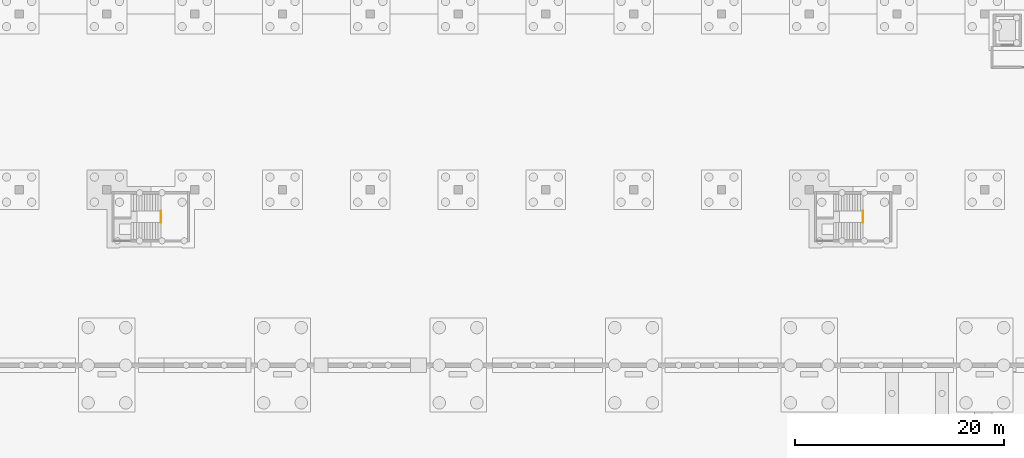
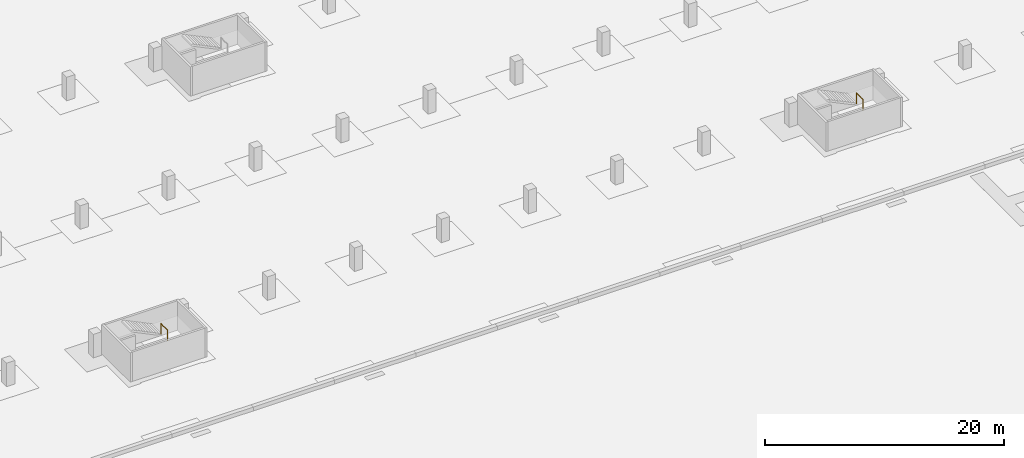
# One storey, part 60 of 67: 2 railings.
"""IFC4 building model written with IfcOpenShell, lengths in metres."""

import ifcopenshell
import ifcopenshell.guid

model = None  # the IFC model being written
_history = None  # IfcOwnerHistory: only IFC2X3 demands one
_inside = {}  # id of a spatial element -> (the spatial element, [elements in it])
_under = {}  # id of a project, library or spatial element -> (it, [spatial elements below it])
_declared = {}  # id of a project -> (the project, [libraries it declares])
_typed = {}  # id of a type object -> (the type object, [elements of that type])
_made_of = {}  # id of a material, layer set ... -> (it, [elements and type objects made of it])


def new_model(schema):
    """Start an empty IFC model of exactly this schema.

    Asked for "IFC4X3", IfcOpenShell would pick the latest addendum, in which some entities
    have other attributes; the version numbers below select the first issue.
    IFC2X3 requires an IfcOwnerHistory on every rooted entity: one is made here for all.
    """
    global model, _history
    if schema == "IFC4X3":
        model = ifcopenshell.file(schema_version=(4, 3, 0, 0))
    else:
        model = ifcopenshell.file(schema=schema)
    _inside.clear()
    _under.clear()
    _declared.clear()
    _typed.clear()
    _made_of.clear()
    _history = None
    if model.schema == "IFC2X3":
        org = make("IfcOrganization", Name="unknown")
        user = make(
            "IfcPersonAndOrganization",
            ThePerson=make("IfcPerson", FamilyName="unknown"),
            TheOrganization=org,
        )
        app = make(
            "IfcApplication",
            ApplicationDeveloper=org,
            Version="unknown",
            ApplicationFullName="unknown",
            ApplicationIdentifier="unknown",
        )
        _history = make(
            "IfcOwnerHistory",
            OwningUser=user,
            OwningApplication=app,
            ChangeAction="ADDED",
            CreationDate=0,
        )
    return model


def make(cls, **values):
    """One entity of the class cls with the attributes given. An attribute that is None is left unset."""
    return model.create_entity(
        cls, **{name: value for name, value in values.items() if value is not None}
    )


def rooted(cls, **values):
    """An entity with a GlobalId (a new one), such as an element, a storey or a relation."""
    return make(cls, GlobalId=ifcopenshell.guid.new(), OwnerHistory=_history, **values)


def si_unit(unit_type, name, prefix=None):
    """IfcSIUnit, for example si_unit("LENGTHUNIT", "METRE", prefix="MILLI")."""
    return make("IfcSIUnit", UnitType=unit_type, Prefix=prefix, Name=name)


def assignment(units):
    """IfcUnitAssignment: the units of a project."""
    return None if units is None else make("IfcUnitAssignment", Units=units)


def point(xyz):
    """IfcCartesianPoint."""
    return None if xyz is None else make("IfcCartesianPoint", Coordinates=xyz)


def direction(xyz):
    """IfcDirection."""
    return None if xyz is None else make("IfcDirection", DirectionRatios=xyz)


def frame(location, z_axis=None, x_axis=None):
    """IfcAxis2Placement3D, a coordinate frame: its origin and axes. An axis left out is left unset."""
    return make(
        "IfcAxis2Placement3D",
        Location=point(location),
        Axis=direction(z_axis),
        RefDirection=direction(x_axis),
    )


def frame_2d(location, x_axis=None):
    """IfcAxis2Placement2D, a coordinate frame in the plane: its origin and x axis."""
    return make(
        "IfcAxis2Placement2D", Location=point(location), RefDirection=direction(x_axis)
    )


def origin():
    """The frame at (0, 0, 0) with its axes left unset."""
    return frame((0.0, 0.0, 0.0))


def origin_2d():
    """The frame at (0, 0) in the plane with its x axis left unset."""
    return frame_2d((0.0, 0.0))


def place(relative_to, where):
    """IfcLocalPlacement: puts the frame where relative to a parent placement (None: the world)."""
    return make(
        "IfcLocalPlacement", PlacementRelTo=relative_to, RelativePlacement=where
    )


def context(
    kind, dimensions, precision=None, world=None, true_north=None, identifier=None
):
    """IfcGeometricRepresentationContext, for example the 3D "Model" context."""
    return make(
        "IfcGeometricRepresentationContext",
        ContextIdentifier=identifier,
        ContextType=kind,
        CoordinateSpaceDimension=dimensions,
        Precision=precision,
        WorldCoordinateSystem=world,
        TrueNorth=true_north,
    )


def subcontext(parent, identifier, kind, view, scale=None):
    """IfcGeometricRepresentationSubContext, for example "Body" below "Model"."""
    return make(
        "IfcGeometricRepresentationSubContext",
        ContextIdentifier=identifier,
        ContextType=kind,
        ParentContext=parent,
        TargetScale=scale,
        TargetView=view,
    )


def project(units=None, contexts=None):
    """IfcProject with its units and contexts."""
    return rooted(
        "IfcProject",
        Name="project",
        RepresentationContexts=contexts,
        UnitsInContext=assignment(units),
    )


def spatial(cls, under=None, at=None, **own):
    """A site, building, storey or space (cls), placed at a placement, below another one or the project."""
    s = rooted(cls, ObjectPlacement=at, **own)
    if under is not None:
        _under.setdefault(under.id(), (under, []))[1].append(s)
    return s


def profile(cls, at=None, kind="AREA", **sizes):
    """A parametric profile (cls). Its sizes go by their IFC names, for example OverallWidth=200.0."""
    return make(cls, ProfileType=kind, Position=at, **sizes)


def circle(**sizes):
    """IfcCircleProfileDef."""
    return profile("IfcCircleProfileDef", **sizes)


def extrude(swept, where, along, depth):
    """IfcExtrudedAreaSolid: the profile swept, set in the frame where, extruded along a direction by depth."""
    return make(
        "IfcExtrudedAreaSolid",
        SweptArea=swept,
        Position=where,
        ExtrudedDirection=direction(along),
        Depth=depth,
    )


def shape(context_of_items, identifier, shape_type, items):
    """IfcShapeRepresentation: the items that make up one representation, for example the "Body"."""
    return make(
        "IfcShapeRepresentation",
        ContextOfItems=context_of_items,
        RepresentationIdentifier=identifier,
        RepresentationType=shape_type,
        Items=items,
    )


def material(Name=None, Category=None):
    """IfcMaterial."""
    return make("IfcMaterial", Name=Name, Category=Category)


def made_of(thing, what):
    """Note that an element or type object is made of a material, layer set ...; save() writes the relation."""
    if what is not None:
        _made_of.setdefault(what.id(), (what, []))[1].append(thing)
    return thing


def type_object(cls, material=None, **own):
    """A type object (cls), such as IfcWallType, which elements share."""
    return made_of(rooted(cls, **own), material)


def element(
    cls,
    number,
    at=None,
    inside=None,
    cuts=None,
    type_object=None,
    material=None,
    context=None,
    identifier="Body",
    shape_type=None,
    held_by="IfcProductDefinitionShape",
    body=None,
    shapes=None,
    **own,
):
    """One element of the class cls, such as IfcWall. Its Tag is "e" and its number.

    at: its placement. inside: the storey or other place that contains it. cuts: it is an
    opening in that element (IfcRelVoidsElement). A single representation is given by context,
    identifier, shape_type and body (its items); several are given by shapes. held_by: the class
    of the entity that holds the representations. save() writes the other relations.
    """
    e = rooted(cls, Tag="e%d" % number, ObjectPlacement=at, **own)
    if body is not None:
        shapes = [shape(context, identifier, shape_type, body)]
    if shapes is not None:
        e.Representation = make(held_by, Representations=shapes)
    if inside is not None:
        _inside.setdefault(inside.id(), (inside, []))[1].append(e)
    if cuts is not None:
        rooted(
            "IfcRelVoidsElement", RelatingBuildingElement=cuts, RelatedOpeningElement=e
        )
    if type_object is not None:
        _typed.setdefault(type_object.id(), (type_object, []))[1].append(e)
    return made_of(e, material)


def aggregate(whole, parts):
    """IfcRelAggregates: a whole, such as a stair, and the parts it consists of."""
    return rooted("IfcRelAggregates", RelatingObject=whole, RelatedObjects=parts)


def save(model, path):
    """Write the relations noted so far, then the file.

    IfcRelAggregates (storeys below a building ...), IfcRelContainedInSpatialStructure (elements
    in a storey), IfcRelDefinesByType, IfcRelAssociatesMaterial and IfcRelDeclares: one each for
    every whole, place, type object, material and project.
    """
    for whole, parts in _under.values():
        aggregate(whole, parts)
    for where, things in _inside.values():
        rooted(
            "IfcRelContainedInSpatialStructure",
            RelatedElements=things,
            RelatingStructure=where,
        )
    for kind, things in _typed.values():
        rooted("IfcRelDefinesByType", RelatedObjects=things, RelatingType=kind)
    for what, things in _made_of.values():
        rooted("IfcRelAssociatesMaterial", RelatedObjects=things, RelatingMaterial=what)
    for by, libraries in _declared.values():
        rooted("IfcRelDeclares", RelatingContext=by, RelatedDefinitions=libraries)
    model.write(path)


model = new_model("IFC4")

# Units and contexts
model_context = context("Model", 3, precision=1e-05, world=origin(), true_north=direction((0.0, 1.0)))
body_context = subcontext(model_context, "Body", "Model", "MODEL_VIEW")
ifc_project = project(units=[si_unit("LENGTHUNIT", "METRE"), si_unit("AREAUNIT", "SQUARE_METRE"), si_unit("VOLUMEUNIT", "CUBIC_METRE"), si_unit("PLANEANGLEUNIT", "RADIAN"), si_unit("MASSUNIT", "GRAM", prefix="KILO")], contexts=[model_context])

# Site, building, storey
site_placement = place(None, origin())
site = spatial("IfcSite", under=ifc_project, at=site_placement, CompositionType="ELEMENT")
building_placement = place(site_placement, origin())
building = spatial("IfcBuilding", under=site, at=building_placement, Name="Rain Tree Exposition and Congress Centre", CompositionType="ELEMENT")
storey_placement = place(building_placement, frame((0.0, 0.0, -3.0)))
storey = spatial("IfcBuildingStorey", under=building, at=storey_placement, Name="B1", CompositionType="ELEMENT", Elevation=-3.0)

# Railings
ifc_material = material(Name="Stainless steel", Category="steel")
railing_type = type_object("IfcRailingType", Name="Guard 1100 stainless", PredefinedType="GUARDRAIL", material=ifc_material)
for number, where, name in (
    (1, (47.159912109375, 215.25, 1.5), "Exit stair N01 well guard"),
    (2, (114.360107421875, 215.25, 1.5), "Exit stair N02 well guard"),
):
    element("IfcRailing", number, at=place(storey_placement, frame(where)), inside=storey, type_object=railing_type, Name=name, PredefinedType="GUARDRAIL", context=body_context, shape_type="SweptSolid", body=[
        extrude(circle(Radius=0.02490234375, at=origin_2d()), frame((0.0, 0.0, 1.0751953125), z_axis=(0.0, 1.0, 0.0), x_axis=(-1.0, 0.0, 0.0)), (0.0, 0.0, 1.0), 1.10009765625),
        extrude(circle(Radius=0.02490234375, at=origin_2d()), origin(), (0.0, 0.0, 1.0), 1.050048828125),
        extrude(circle(Radius=0.02490234375, at=origin_2d()), frame((0.0, 1.10009765625, 0.0)), (0.0, 0.0, 1.0), 1.050048828125),
    ])

save(model, "model.ifc")
